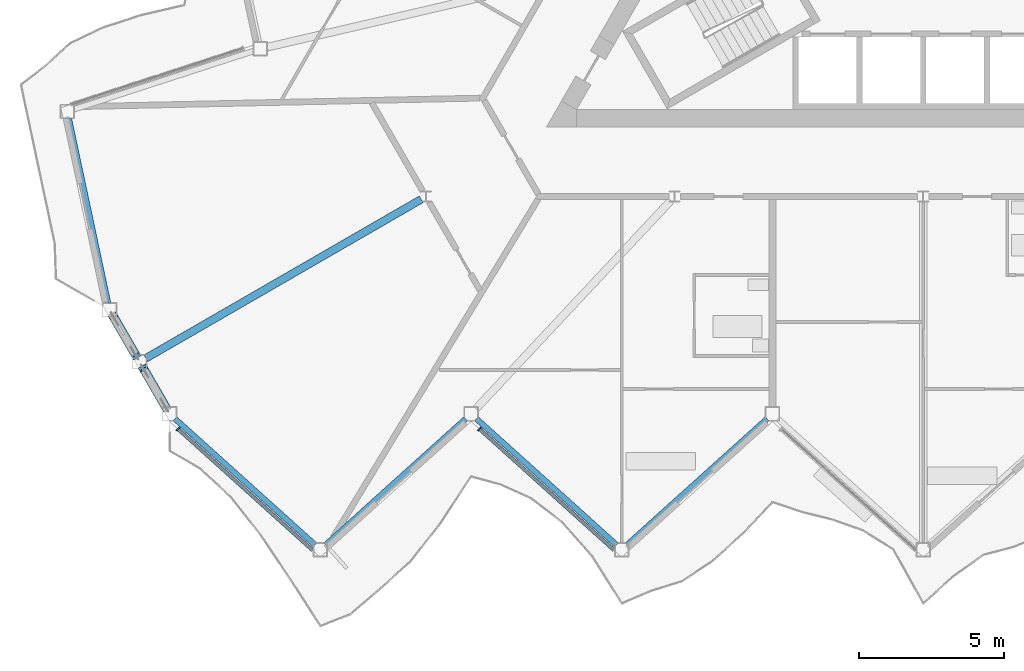
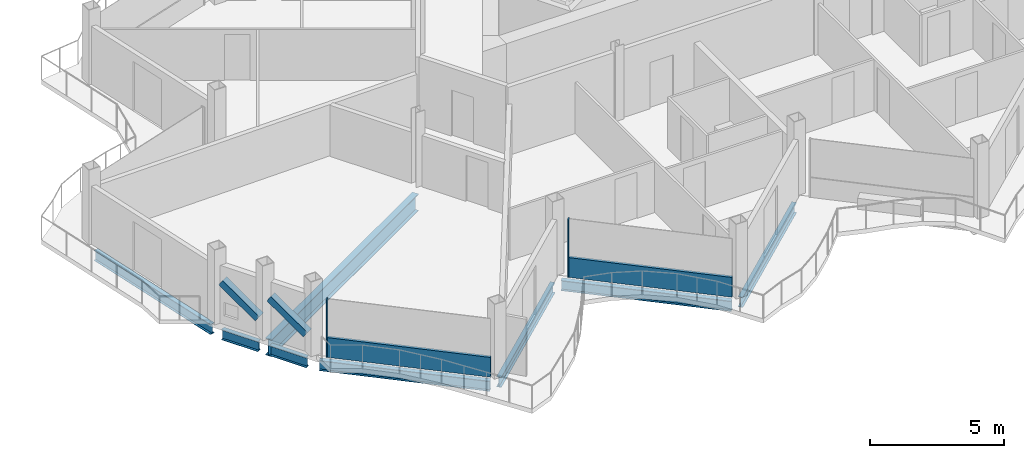
# One storey, part 4 of 25: 8 beams, 6 members, 2 elements without a shape of their own.
"""IFC4 building model written with IfcOpenShell, lengths in metres."""

from ifc_helpers import new_model, si_unit, direction, frame, origin, origin_2d, place, context, subcontext, project, spatial, rectangle, hollow_rectangle, i_section, extrude, material, layer, layer_set, material_profile, profile_set, type_object, element, aggregate, save


model = new_model("IFC4")

# Units and contexts
model_context = context("Model", 3, precision=1e-05, world=origin(), true_north=direction((0.0, 1.0)))
body_context = subcontext(model_context, "Body", "Model", "MODEL_VIEW")
ifc_project = project(units=[si_unit("LENGTHUNIT", "METRE"), si_unit("AREAUNIT", "SQUARE_METRE"), si_unit("VOLUMEUNIT", "CUBIC_METRE"), si_unit("PLANEANGLEUNIT", "RADIAN"), si_unit("MASSUNIT", "GRAM", prefix="KILO")], contexts=[model_context])

# Site, building, storey
site_placement = place(None, origin())
site = spatial("IfcSite", under=ifc_project, at=site_placement, CompositionType="ELEMENT")
building_placement = place(site_placement, origin())
building = spatial("IfcBuilding", under=site, at=building_placement, Name="Cormorant Prow Tower", CompositionType="ELEMENT")
storey_placement = place(building_placement, frame((0.0, 0.0, 391.60009765625)))
storey = spatial("IfcBuildingStorey", under=building, at=storey_placement, Name="L89", CompositionType="ELEMENT", Elevation=391.60009765625)

# Members
ifc_material_1 = material(Name="Structural steel ASTM A500 Gr C", Category="steel")
ifc_material_profile_1 = material_profile(ifc_material_1, hollow_rectangle(XDim=0.3046875, YDim=0.3046875, WallThickness=0.01171875, at=origin_2d()), Name="HSS12x12x1/2")
ifc_profile_set_1 = profile_set([ifc_material_profile_1], Name="Structural steel ASTM A500 Gr C")
member_type_1 = type_object("IfcMemberType", Name="Chamfer brace HSS12x12x1/2", PredefinedType="BRACE", material=ifc_profile_set_1)
member_1_placement = place(storey_placement, frame((-27.160400390625, -15.39599609375, 0.7705078125), z_axis=(-0.411230183851, 0.712282194217, 0.568809117095), x_axis=(-0.866028632512, -0.499994407638, 0.0)))
element("IfcMember", 1, at=member_1_placement, inside=storey, type_object=member_type_1, Name="Chamfer brace BR3 at WSW00 L89", PredefinedType="BRACE", context=body_context, shape_type="SweptSolid", body=[
    extrude(hollow_rectangle(XDim=0.3046875, YDim=0.3046875, WallThickness=0.01171875, at=origin_2d()), origin(), (0.0, 0.0, 1.0), 1.921142578125),
])
member_2_placement = place(storey_placement, frame((-26.123291015625, -17.192138671875, 0.7705078125), z_axis=(-0.411298537745, 0.71230756954, 0.568727913175), x_axis=(-0.866000359435, -0.500043375578, 0.0)))
element("IfcMember", 2, at=member_2_placement, inside=storey, type_object=member_type_1, Name="Chamfer brace BR3 at WSW01 L89", PredefinedType="BRACE", context=body_context, shape_type="SweptSolid", body=[
    extrude(hollow_rectangle(XDim=0.3046875, YDim=0.3046875, WallThickness=0.01171875, at=origin_2d()), origin(), (0.0, 0.0, 1.0), 1.92138671875),
])

# Beam
ifc_material_2 = material(Name="Structural steel ASTM A992 Gr 50", Category="steel")
ifc_material_profile_2 = material_profile(ifc_material_2, i_section(OverallWidth=0.267822265625, OverallDepth=0.77001953125, WebThickness=0.015625, FlangeThickness=0.025390625, at=origin_2d()), Name="W30x132")
ifc_profile_set_2 = profile_set([ifc_material_profile_2], Name="Structural steel ASTM A992 Gr 50")
beam_type_1 = type_object("IfcBeamType", Name="Radial floor beam W30x132", PredefinedType="BEAM", material=ifc_profile_set_2)
beam_1_placement = place(storey_placement, frame((-17.31884765625, -9.9990234375, -0.68505859375), z_axis=(-0.866018830095, -0.500011385791, 0.0), x_axis=(0.500011385791, -0.866018830095, 0.0)))
element("IfcBeam", 3, at=beam_1_placement, inside=storey, type_object=beam_type_1, Name="Radial floor beam FB3 5 L89", PredefinedType="BEAM", context=body_context, shape_type="SweptSolid", body=[
    extrude(i_section(OverallWidth=0.267822265625, OverallDepth=0.77001953125, WebThickness=0.015625, FlangeThickness=0.025390625, at=origin_2d()), origin(), (0.0, 0.0, 1.0), 10.971435546875),
])

# Curtain wall, member
ifc_material_3 = material(Name="Aluminium 6063-T6", Category="aluminium")
ifc_layer = layer(ifc_material_3, 0.159912109375)
ifc_layer_set = layer_set([ifc_layer], Name="Aluminium 6063-T6")
curtain_wall_type = type_object("IfcCurtainWallType", Name="Residential unitised curtain wall 160", PredefinedType="NOTDEFINED", material=ifc_layer_set)
curtain_wall_1_placement = place(storey_placement, origin())
curtain_wall_1 = element("IfcCurtainWall", 4, at=curtain_wall_1_placement, inside=storey, type_object=curtain_wall_type, Name="Residential curtain wall S00", PredefinedType="NOTDEFINED")
ifc_material_4 = material(Name="Aluminium 6063-T6", Category="aluminium")
ifc_material_profile_3 = material_profile(ifc_material_4, rectangle(XDim=0.159912109375, YDim=0.050048828125, at=origin_2d()), Name="Residential mullion 50x160")
ifc_profile_set_3 = profile_set([ifc_material_profile_3], Name="Aluminium 6063-T6")
member_type_2 = type_object("IfcMemberType", Name="Residential mullion 50x160", PredefinedType="MULLION", material=ifc_profile_set_3)
member_3_placement = place(storey_placement, frame((-25.70947265625, -17.926513671875, 0.0), z_axis=(0.0, 0.0, 1.0), x_axis=(0.669130603959, 0.743144827638, 0.0)))
member_3 = element("IfcMember", 5, at=member_3_placement, type_object=member_type_2, Name="Residential mullion S00", PredefinedType="MULLION", context=body_context, shape_type="SweptSolid", body=[
    extrude(rectangle(XDim=0.159912109375, YDim=0.050048828125, at=origin_2d()), origin(), (0.0, 0.0, 1.0), 2.6337890625),
])

curtain_wall_2_placement = place(storey_placement, origin())
curtain_wall_2 = element("IfcCurtainWall", 6, at=curtain_wall_2_placement, inside=storey, type_object=curtain_wall_type, Name="Residential curtain wall S02", PredefinedType="NOTDEFINED")
member_4_placement = place(storey_placement, frame((-15.309326171875, -17.926513671875, 0.0), z_axis=(0.0, 0.0, 1.0), x_axis=(0.669130603959, 0.743144827638, 0.0)))
member_4 = element("IfcMember", 7, at=member_4_placement, type_object=member_type_2, Name="Residential mullion S02", PredefinedType="MULLION", context=body_context, shape_type="SweptSolid", body=[
    extrude(rectangle(XDim=0.159912109375, YDim=0.050048828125, at=origin_2d()), origin(), (0.0, 0.0, 1.0), 2.6337890625),
])

# Member
ifc_material_5 = material(Name="Terracotta", Category="masonry")
ifc_material_profile_4 = material_profile(ifc_material_5, rectangle(XDim=0.1201171875, YDim=0.89990234375, at=origin_2d()), Name="Residential terracotta spandrel rail 120x900")
ifc_profile_set_4 = profile_set([ifc_material_profile_4], Name="Terracotta")
member_type_3 = type_object("IfcMemberType", Name="Residential terracotta spandrel rail 120x900", PredefinedType="USERDEFINED", material=ifc_profile_set_4)
member_5_placement = place(storey_placement, frame((-25.69091796875, -17.943115234375, 0.449951171875), z_axis=(0.743139827378, -0.669136157269, 0.0), x_axis=(0.669136157269, 0.743139827378, 0.0)))
member_5 = element("IfcMember", 8, at=member_5_placement, type_object=member_type_3, Name="Residential spandrel rail S00", ObjectType="TRANSOM", PredefinedType="USERDEFINED", context=body_context, shape_type="SweptSolid", body=[
    extrude(rectangle(XDim=0.1201171875, YDim=0.89990234375, at=origin_2d()), origin(), (0.0, 0.0, 1.0), 6.21533203125),
])

aggregate(curtain_wall_1, [member_3, member_5])

member_6_placement = place(storey_placement, frame((-15.290771484375, -17.943115234375, 0.449951171875), z_axis=(0.743139827378, -0.669136157269, 0.0), x_axis=(0.669136157269, 0.743139827378, 0.0)))
member_6 = element("IfcMember", 9, at=member_6_placement, type_object=member_type_3, Name="Residential spandrel rail S02", ObjectType="TRANSOM", PredefinedType="USERDEFINED", context=body_context, shape_type="SweptSolid", body=[
    extrude(rectangle(XDim=0.1201171875, YDim=0.89990234375, at=origin_2d()), origin(), (0.0, 0.0, 1.0), 6.21533203125),
])

aggregate(curtain_wall_2, [member_4, member_6])

# Beams
ifc_material_6 = material(Name="Structural steel ASTM A992 Gr 50", Category="steel")
ifc_material_profile_5 = material_profile(ifc_material_6, i_section(OverallWidth=0.19287109375, OverallDepth=0.466064453125, WebThickness=0.011474609375, FlangeThickness=0.01904296875, at=origin_2d()), Name="W18x65")
ifc_profile_set_5 = profile_set([ifc_material_profile_5], Name="Structural steel ASTM A992 Gr 50")
beam_type_2 = type_object("IfcBeamType", Name="Spandrel beam W18x65", PredefinedType="SPANDREL", material=ifc_profile_set_5)
for number, where, z_axis, x_axis, name in (
    (10, (-25.814208984375, -17.572998046875, -0.533203125), (0.743131573737, -0.669145323614, 0.0), (0.669145323614, 0.743131573737, 0.0), "Spandrel beam SB4 S00-S01 L89"),
    (11, (-20.6142578125, -21.920654296875, -0.533203125), (0.743131573737, 0.669145323614, 0.0), (-0.669145323614, 0.743131573737, 0.0), "Spandrel beam SB4 S01-S02 L89"),
):
    element("IfcBeam", number, at=place(storey_placement, frame(where, z_axis=z_axis, x_axis=x_axis)), inside=storey, type_object=beam_type_2, Name=name, PredefinedType="SPANDREL", context=body_context, shape_type="SweptSolid", body=[
        extrude(i_section(OverallWidth=0.19287109375, OverallDepth=0.466064453125, WebThickness=0.011474609375, FlangeThickness=0.01904296875, at=origin_2d()), origin(), (0.0, 0.0, 1.0), 6.497314453125),
    ])
beam_2_placement = place(storey_placement, frame((-15.414306640625, -17.572998046875, -0.533203125), z_axis=(0.743148397689, -0.669126638995, 0.0), x_axis=(0.669126638995, 0.743148397689, 0.0)))
element("IfcBeam", 12, at=beam_2_placement, inside=storey, type_object=beam_type_2, Name="Spandrel beam SB4 S02-S03 L89", PredefinedType="SPANDREL", context=body_context, shape_type="SweptSolid", body=[
    extrude(i_section(OverallWidth=0.19287109375, OverallDepth=0.466064453125, WebThickness=0.011474609375, FlangeThickness=0.01904296875, at=origin_2d()), origin(), (0.0, 0.0, 1.0), 6.49755859375),
])
beam_3_placement = place(storey_placement, frame((-10.214111328125, -21.920654296875, -0.533203125), z_axis=(0.743131573737, 0.669145323614, 0.0), x_axis=(-0.669145323614, 0.743131573737, 0.0)))
element("IfcBeam", 13, at=beam_3_placement, inside=storey, type_object=beam_type_2, Name="Spandrel beam SB4 S03-S04 L89", PredefinedType="SPANDREL", context=body_context, shape_type="SweptSolid", body=[
    extrude(i_section(OverallWidth=0.19287109375, OverallDepth=0.466064453125, WebThickness=0.011474609375, FlangeThickness=0.01904296875, at=origin_2d()), origin(), (0.0, 0.0, 1.0), 6.497314453125),
])
beam_4_placement = place(storey_placement, frame((-29.4765625, -7.2138671875, -0.533203125), z_axis=(0.207901897373, -0.978149682344, 0.0), x_axis=(0.978149682344, 0.207901897373, 0.0)))
element("IfcBeam", 14, at=beam_4_placement, inside=storey, type_object=beam_type_2, Name="Spandrel beam SB4 WNW09-WSW00 L89", PredefinedType="SPANDREL", context=body_context, shape_type="SweptSolid", body=[
    extrude(i_section(OverallWidth=0.19287109375, OverallDepth=0.466064453125, WebThickness=0.011474609375, FlangeThickness=0.01904296875, at=origin_2d()), origin(), (0.0, 0.0, 1.0), 6.49755859375),
])
for number, where, z_axis, x_axis, name in (
    (15, (-27.94873046875, -14.0302734375, -0.533203125), (0.499959680857, -0.866048680801, 0.0), (0.866048680801, 0.499959680857, 0.0), "Spandrel beam SB4 WSW00-WSW01 L89"),
    (16, (-26.911865234375, -15.826171875, -0.533203125), (0.499959680857, -0.866048680801, 0.0), (0.866048680801, 0.499959680857, 0.0), "Spandrel beam SB4 WSW01-S00 L89"),
):
    element("IfcBeam", number, at=place(storey_placement, frame(where, z_axis=z_axis, x_axis=x_axis)), inside=storey, type_object=beam_type_2, Name=name, PredefinedType="SPANDREL", context=body_context, shape_type="SweptSolid", body=[
        extrude(i_section(OverallWidth=0.19287109375, OverallDepth=0.466064453125, WebThickness=0.011474609375, FlangeThickness=0.01904296875, at=origin_2d()), origin(), (0.0, 0.0, 1.0), 1.573974609375),
    ])

save(model, "model.ifc")
